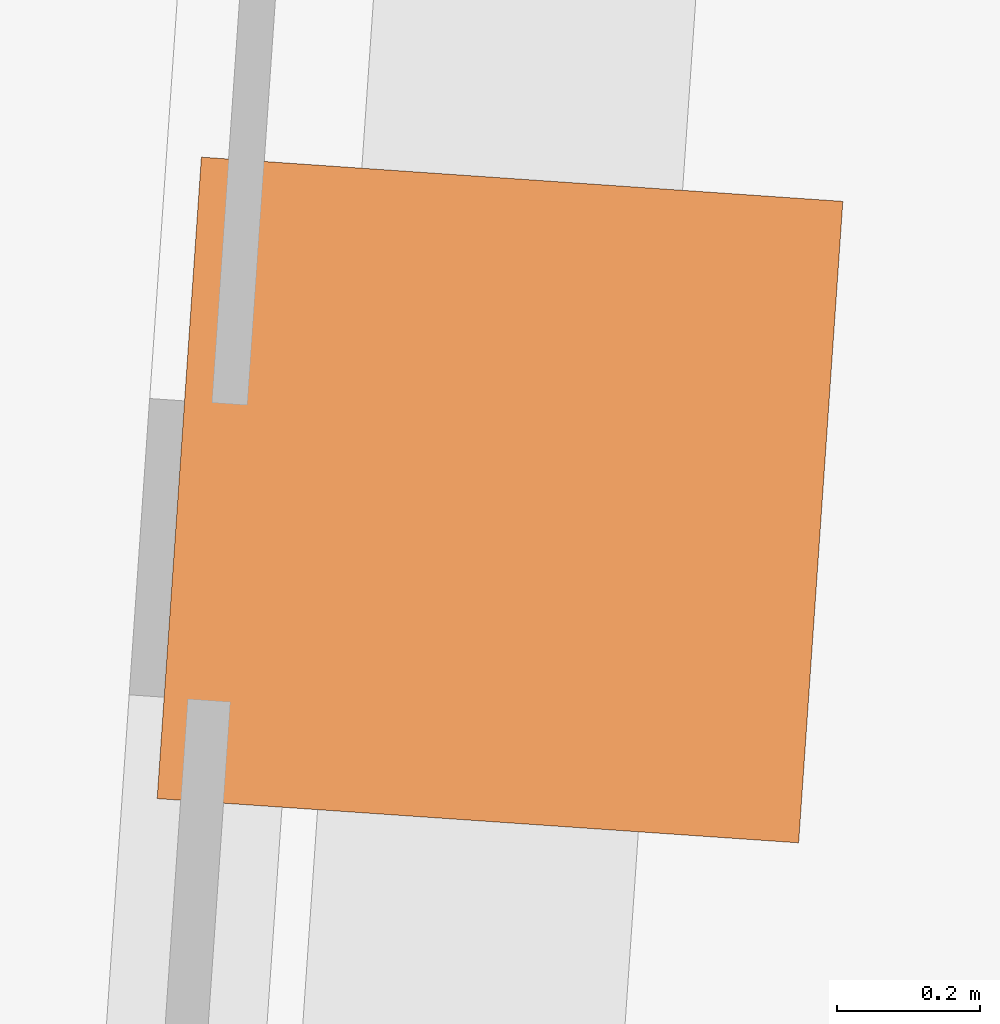
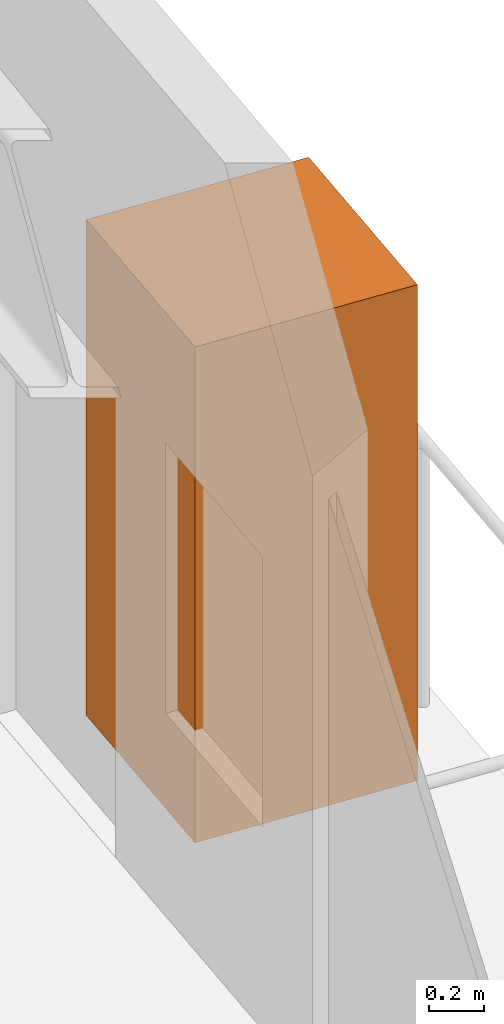
# One storey, part 12 of 12: 1 geographic element.
"""IFC4 building model written with IfcOpenShell, lengths in metres."""

from ifc_helpers import new_model, si_unit, direction, frame, origin, origin_2d, place, context, subcontext, project, spatial, rectangle, extrude, material, type_object, element, save


model = new_model("IFC4")

# Units and contexts
model_context = context("Model", 3, precision=1e-05, world=origin(), true_north=direction((0.0, 1.0)))
body_context = subcontext(model_context, "Body", "Model", "MODEL_VIEW")
ifc_project = project(units=[si_unit("LENGTHUNIT", "METRE"), si_unit("AREAUNIT", "SQUARE_METRE"), si_unit("VOLUMEUNIT", "CUBIC_METRE"), si_unit("PLANEANGLEUNIT", "RADIAN"), si_unit("MASSUNIT", "GRAM", prefix="KILO")], contexts=[model_context])

# Site, building, storey
site_placement = place(None, origin())
site = spatial("IfcSite", under=ifc_project, at=site_placement, CompositionType="ELEMENT")
building_placement = place(site_placement, origin())
building = spatial("IfcBuilding", under=site, at=building_placement, Name="Verdant Reach Tower", CompositionType="ELEMENT")
storey_placement = place(building_placement, frame((0.0, 0.0, 278.0)))
storey = spatial("IfcBuildingStorey", under=building, at=storey_placement, Name="L64", CompositionType="ELEMENT", Elevation=278.0)

# Geographic element
ifc_material = material(Name="Planting")
geographic_element_type = type_object("IfcGeographicElementType", Name="EN-TREE", PredefinedType="USERDEFINED", material=ifc_material)
geographic_element_placement = place(storey_placement, frame((24.17626953125, 58.304931640625, 0.39990234375), z_axis=(0.0, 0.0, 1.0), x_axis=(0.068802091615, 0.997630328423, 0.0)))
element("IfcGeographicElement", 1, at=geographic_element_placement, inside=storey, type_object=geographic_element_type, Name="Balcony tree, Queen palm (Syagrus romanzoffiana), L64 1", ObjectType="TREE", PredefinedType="USERDEFINED", context=body_context, shape_type="SweptSolid", body=[
    extrude(rectangle(XDim=0.89990234375, YDim=0.89990234375, at=origin_2d()), origin(), (0.0, 0.0, 1.0), 2.199951171875),
])

save(model, "model.ifc")
